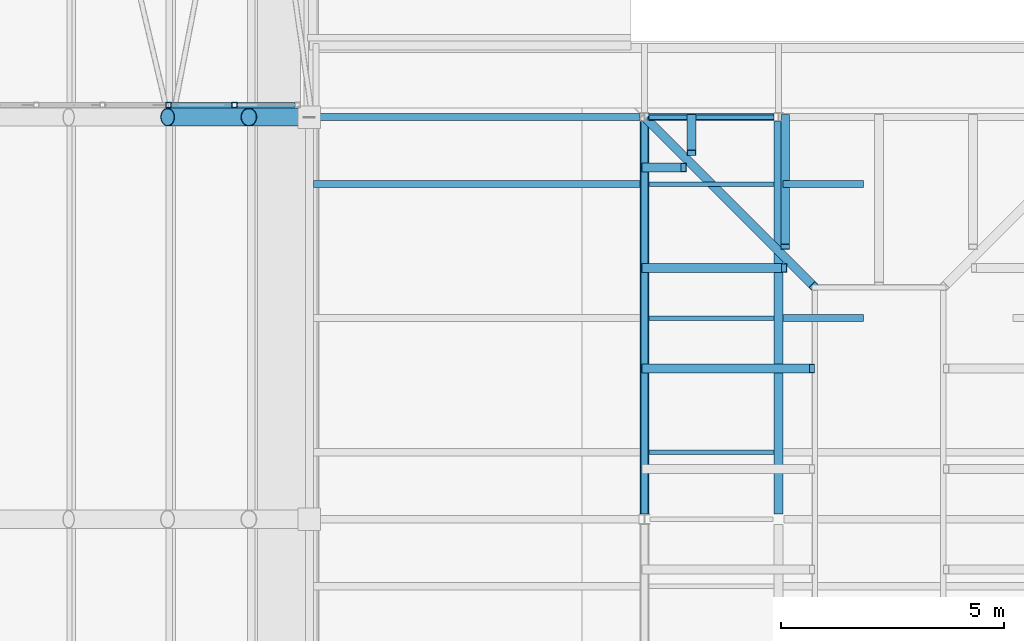
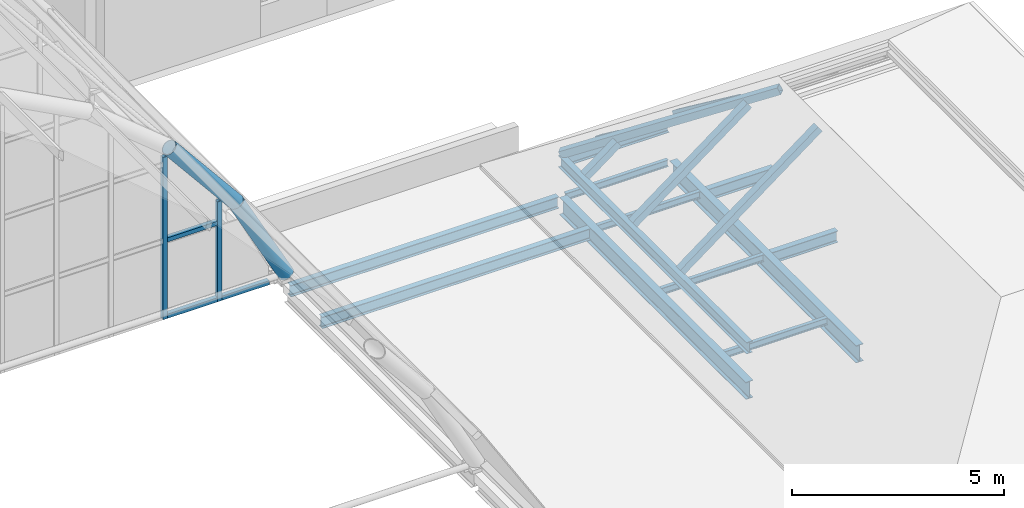
# One storey, part 47 of 121: 13 members, 12 beams, 1 element without a shape of its own.
"""IFC4 building model written with IfcOpenShell, lengths in metres."""

from ifc_helpers import new_model, si_unit, direction, frame, origin, origin_2d, place, context, subcontext, project, spatial, hollow_rectangle, hollow_circle, i_section, extrude, material, material_profile, profile_set, type_object, element, aggregate, save


model = new_model("IFC4")

# Units and contexts
model_context = context("Model", 3, precision=1e-05, world=origin(), true_north=direction((0.0, 1.0)))
body_context = subcontext(model_context, "Body", "Model", "MODEL_VIEW")
ifc_project = project(units=[si_unit("LENGTHUNIT", "METRE"), si_unit("AREAUNIT", "SQUARE_METRE"), si_unit("VOLUMEUNIT", "CUBIC_METRE"), si_unit("PLANEANGLEUNIT", "RADIAN"), si_unit("MASSUNIT", "GRAM", prefix="KILO")], contexts=[model_context])

# Site, building, storey
site_placement = place(None, origin())
site = spatial("IfcSite", under=ifc_project, at=site_placement, CompositionType="ELEMENT")
building_placement = place(site_placement, origin())
building = spatial("IfcBuilding", under=site, at=building_placement, Name="Golden Quay Civic Hall", CompositionType="ELEMENT")
storey_placement = place(building_placement, frame((0.0, 0.0, 18.60009765625)))
storey = spatial("IfcBuildingStorey", under=building, at=storey_placement, Name="L04", CompositionType="ELEMENT", Elevation=18.60009765625)

# Curtain wall, members
ifc_material_1 = material(Name="Fire-resisting glass and steel", Category="steel")
curtain_wall_type = type_object("IfcCurtainWallType", Name="Fire-resisting glazed curtain wall EI 120", PredefinedType="NOTDEFINED", material=ifc_material_1)
curtain_wall_placement = place(storey_placement, origin())
curtain_wall = element("IfcCurtainWall", 1, at=curtain_wall_placement, inside=storey, type_object=curtain_wall_type, Name="Curtain wall tympanum fire3", PredefinedType="NOTDEFINED")
ifc_material_2 = material(Name="Steel S355", Category="steel")
ifc_material_profile_1 = material_profile(ifc_material_2, hollow_rectangle(XDim=0.1201171875, YDim=0.1201171875, WallThickness=0.008056640625, at=origin_2d()), Name="SHS 120x120x8")
ifc_profile_set_1 = profile_set([ifc_material_profile_1], Name="Steel S355")
member_type_1 = type_object("IfcMemberType", Name="Fire-resisting steel mullion SHS 120x120x8", PredefinedType="MULLION", material=ifc_profile_set_1)
member_1_placement = place(storey_placement, frame((95.844482421875, 54.27001953125, -0.25), z_axis=(0.0, 0.0, 1.0), x_axis=(0.0, 1.0, 0.0)))
member_1 = element("IfcMember", 2, at=member_1_placement, type_object=member_type_1, Name="Tympanum mullion 17", PredefinedType="MULLION", context=body_context, shape_type="SweptSolid", body=[
    extrude(hollow_rectangle(XDim=0.1201171875, YDim=0.1201171875, WallThickness=0.008056640625, at=origin_2d()), origin(), (0.0, 0.0, 1.0), 4.6669921875),
])
member_2_placement = place(storey_placement, frame((97.322265625, 54.27001953125, -0.25), z_axis=(0.0, 0.0, 1.0), x_axis=(0.0, 1.0, 0.0)))
member_2 = element("IfcMember", 3, at=member_2_placement, type_object=member_type_1, Name="Tympanum mullion 18", PredefinedType="MULLION", context=body_context, shape_type="SweptSolid", body=[
    extrude(hollow_rectangle(XDim=0.1201171875, YDim=0.1201171875, WallThickness=0.008056640625, at=origin_2d()), origin(), (0.0, 0.0, 1.0), 2.8720703125),
])
ifc_material_3 = material(Name="Steel S355", Category="steel")
ifc_material_profile_2 = material_profile(ifc_material_3, hollow_rectangle(XDim=0.1201171875, YDim=0.1201171875, WallThickness=0.008056640625, at=origin_2d()), Name="SHS 120x120x8")
ifc_profile_set_2 = profile_set([ifc_material_profile_2], Name="Steel S355")
member_type_2 = type_object("IfcMemberType", Name="Fire-resisting steel transom SHS 120x120x8", PredefinedType="USERDEFINED", material=ifc_profile_set_2)
member_3_placement = place(storey_placement, frame((95.904541015625, 54.27001953125, -0.190185546875), z_axis=(1.0, 0.0, 0.0), x_axis=(0.0, 1.0, 0.0)))
member_3 = element("IfcMember", 4, at=member_3_placement, type_object=member_type_2, Name="Tympanum transom 17.1", ObjectType="TRANSOM", PredefinedType="USERDEFINED", context=body_context, shape_type="SweptSolid", body=[
    extrude(hollow_rectangle(XDim=0.1201171875, YDim=0.1201171875, WallThickness=0.008056640625, at=origin_2d()), origin(), (0.0, 0.0, 1.0), 1.357666015625),
])
member_4_placement = place(storey_placement, frame((95.904541015625, 54.27001953125, 2.010009765625), z_axis=(1.0, 0.0, 0.0), x_axis=(0.0, 1.0, 0.0)))
member_4 = element("IfcMember", 5, at=member_4_placement, type_object=member_type_2, Name="Tympanum transom 17.2", ObjectType="TRANSOM", PredefinedType="USERDEFINED", context=body_context, shape_type="SweptSolid", body=[
    extrude(hollow_rectangle(XDim=0.1201171875, YDim=0.1201171875, WallThickness=0.008056640625, at=origin_2d()), origin(), (0.0, 0.0, 1.0), 1.357666015625),
])
member_5_placement = place(storey_placement, frame((97.38232421875, 54.27001953125, -0.190185546875), z_axis=(1.0, 0.0, 0.0), x_axis=(0.0, 1.0, 0.0)))
member_5 = element("IfcMember", 6, at=member_5_placement, type_object=member_type_2, Name="Tympanum transom 18.1", ObjectType="TRANSOM", PredefinedType="USERDEFINED", context=body_context, shape_type="SweptSolid", body=[
    extrude(hollow_rectangle(XDim=0.1201171875, YDim=0.1201171875, WallThickness=0.008056640625, at=origin_2d()), origin(), (0.0, 0.0, 1.0), 1.297607421875),
])
aggregate(curtain_wall, [member_1, member_2, member_3, member_4, member_5])

# Members
ifc_material_4 = material(Name="Steel S355", Category="steel")
ifc_material_profile_3 = material_profile(ifc_material_4, hollow_circle(Radius=0.203125, WallThickness=0.01611328125, at=origin_2d()), Name="CHS 406.4x16")
ifc_profile_set_3 = profile_set([ifc_material_profile_3], Name="Steel S355")
member_type_3 = type_object("IfcMemberType", Name="Steel arch rib CHS 406.4x16", PredefinedType="USERDEFINED", material=ifc_profile_set_3)
for number, where, z_axis, x_axis, name in (
    (7, (95.826904296875, 54.0, 4.830810546875), (0.635608575128, 0.0, -0.772011489049), (0.0, 1.0, 0.0), "Arch rib 7 segment 11"),
    (8, (97.64599609375, 54.0, 2.621337890625), (0.473092307375, 0.0, -0.881012865231), (0.0, 1.0, 0.0), "Arch rib 7 segment 12"),
):
    element("IfcMember", number, at=place(storey_placement, frame(where, z_axis=z_axis, x_axis=x_axis)), inside=storey, type_object=member_type_3, Name=name, ObjectType="ARCH RIB", PredefinedType="USERDEFINED", context=body_context, shape_type="SweptSolid", body=[
        extrude(hollow_circle(Radius=0.203125, WallThickness=0.01611328125, at=origin_2d()), origin(), (0.0, 0.0, 1.0), 2.862060546875),
    ])

# Beams
ifc_material_5 = material(Name="Steel S355", Category="steel")
ifc_material_profile_4 = material_profile(ifc_material_5, i_section(OverallWidth=0.10009765625, OverallDepth=0.199951171875, WebThickness=0.005615234375, FlangeThickness=0.008544921875, FilletRadius=0.011962890625, at=origin_2d()), Name="IPE 200")
ifc_profile_set_4 = profile_set([ifc_material_profile_4], Name="Steel S355")
beam_type_1 = type_object("IfcBeamType", Name="Steel beam IPE 200", PredefinedType="BEAM", material=ifc_profile_set_4)
beam_1_placement = place(storey_placement, frame((106.60009765625, 54.0, -0.35009765625), z_axis=(1.0, 0.0, 0.0), x_axis=(0.0, 1.0, 0.0)))
element("IfcBeam", 9, at=beam_1_placement, inside=storey, type_object=beam_type_1, Name="Beam S54-106.5", PredefinedType="BEAM", context=body_context, shape_type="SweptSolid", body=[
    extrude(i_section(OverallWidth=0.10009765625, OverallDepth=0.199951171875, WebThickness=0.005615234375, FlangeThickness=0.008544921875, FilletRadius=0.011962890625, at=origin_2d()), origin(), (0.0, 0.0, 1.0), 2.7998046875),
])
ifc_material_6 = material(Name="Steel S355", Category="steel")
ifc_material_profile_5 = material_profile(ifc_material_6, i_section(OverallWidth=0.159912109375, OverallDepth=0.330078125, WebThickness=0.007568359375, FlangeThickness=0.011474609375, FilletRadius=0.01806640625, at=origin_2d()), Name="IPE 330")
ifc_profile_set_5 = profile_set([ifc_material_profile_5], Name="Steel S355")
beam_type_2 = type_object("IfcBeamType", Name="Steel beam IPE 330", PredefinedType="BEAM", material=ifc_profile_set_5)
beam_2_placement = place(storey_placement, frame((99.10009765625, 54.0, -0.4150390625), z_axis=(1.0, 0.0, 0.0), x_axis=(0.0, 1.0, 0.0)))
element("IfcBeam", 10, at=beam_2_placement, inside=storey, type_object=beam_type_2, Name="Beam S54-99", PredefinedType="BEAM", context=body_context, shape_type="SweptSolid", body=[
    extrude(i_section(OverallWidth=0.159912109375, OverallDepth=0.330078125, WebThickness=0.007568359375, FlangeThickness=0.011474609375, FilletRadius=0.01806640625, at=origin_2d()), origin(), (0.0, 0.0, 1.0), 7.2998046875),
])
ifc_material_7 = material(Name="Steel S355", Category="steel")
ifc_material_profile_6 = material_profile(ifc_material_7, i_section(OverallWidth=0.199951171875, OverallDepth=0.5, WebThickness=0.01025390625, FlangeThickness=0.01611328125, FilletRadius=0.02099609375, at=origin_2d()), Name="IPE 500")
ifc_profile_set_6 = profile_set([ifc_material_profile_6], Name="Steel S355")
beam_type_3 = type_object("IfcBeamType", Name="Steel beam IPE 500", PredefinedType="BEAM", material=ifc_profile_set_6)
for number, where, z_axis, x_axis, name in (
    (11, (106.5, 45.114990234375, -0.5), (0.0, 1.0, 0.0), (-1.0, 0.0, 0.0), "Beam L106.5-45"),
    (12, (109.5, 45.114990234375, -0.5), (0.0, 1.0, 0.0), (-1.0, 0.0, 0.0), "Beam L109.5-45"),
):
    element("IfcBeam", number, at=place(storey_placement, frame(where, z_axis=z_axis, x_axis=x_axis)), inside=storey, type_object=beam_type_3, Name=name, PredefinedType="BEAM", context=body_context, shape_type="SweptSolid", body=[
        extrude(i_section(OverallWidth=0.199951171875, OverallDepth=0.5, WebThickness=0.01025390625, FlangeThickness=0.01611328125, FilletRadius=0.02099609375, at=origin_2d()), origin(), (0.0, 0.0, 1.0), 8.7900390625),
    ])

# Members
ifc_material_8 = material(Name="Steel S355", Category="steel")
ifc_material_profile_7 = material_profile(ifc_material_8, hollow_rectangle(XDim=0.199951171875, YDim=0.199951171875, WallThickness=0.010009765625, at=origin_2d()), Name="SHS 200x200x10")
ifc_profile_set_7 = profile_set([ifc_material_profile_7], Name="Steel S355")
member_type_4 = type_object("IfcMemberType", Name="Steel jack rafter SHS 200x200x10", PredefinedType="RAFTER", material=ifc_profile_set_7)
member_6_placement = place(storey_placement, frame((107.550048828125, 54.0, 0.96484375), z_axis=(0.0, -0.799970705032, 0.600039057971), x_axis=(1.0, 0.0, 0.0)))
element("IfcMember", 13, at=member_6_placement, inside=storey, type_object=member_type_4, Name="Jack rafter EM-N north 1", PredefinedType="RAFTER", context=body_context, shape_type="SweptSolid", body=[
    extrude(hollow_rectangle(XDim=0.199951171875, YDim=0.199951171875, WallThickness=0.010009765625, at=origin_2d()), origin(), (0.0, 0.0, 1.0), 1.0),
])
member_7_placement = place(storey_placement, frame((109.64990234375, 54.0, 0.96484375), z_axis=(0.0, -0.799983835699, 0.600021551797), x_axis=(1.0, 0.0, 0.0)))
element("IfcMember", 14, at=member_7_placement, inside=storey, type_object=member_type_4, Name="Jack rafter EM-N north 2", PredefinedType="RAFTER", context=body_context, shape_type="SweptSolid", body=[
    extrude(hollow_rectangle(XDim=0.199951171875, YDim=0.199951171875, WallThickness=0.010009765625, at=origin_2d()), origin(), (0.0, 0.0, 1.0), 3.625),
])
member_8_placement = place(storey_placement, frame((106.5, 48.375, 0.96484375), z_axis=(0.8, 0.0, 0.6), x_axis=(0.0, 1.0, 0.0)))
element("IfcMember", 15, at=member_8_placement, inside=storey, type_object=member_type_4, Name="Jack rafter EM-N west 6", PredefinedType="RAFTER", context=body_context, shape_type="SweptSolid", body=[
    extrude(hollow_rectangle(XDim=0.199951171875, YDim=0.199951171875, WallThickness=0.010009765625, at=origin_2d()), origin(), (0.0, 0.0, 1.0), 4.6875),
])
member_9_placement = place(storey_placement, frame((106.5, 50.625, 0.96484375), z_axis=(0.8, 0.0, 0.6), x_axis=(0.0, 1.0, 0.0)))
element("IfcMember", 16, at=member_9_placement, inside=storey, type_object=member_type_4, Name="Jack rafter EM-N west 7", PredefinedType="RAFTER", context=body_context, shape_type="SweptSolid", body=[
    extrude(hollow_rectangle(XDim=0.199951171875, YDim=0.199951171875, WallThickness=0.010009765625, at=origin_2d()), origin(), (0.0, 0.0, 1.0), 3.90625),
])
member_10_placement = place(storey_placement, frame((106.5, 52.875, 0.96484375), z_axis=(0.8, 0.0, 0.6), x_axis=(0.0, 1.0, 0.0)))
element("IfcMember", 17, at=member_10_placement, inside=storey, type_object=member_type_4, Name="Jack rafter EM-N west 8", PredefinedType="RAFTER", context=body_context, shape_type="SweptSolid", body=[
    extrude(hollow_rectangle(XDim=0.199951171875, YDim=0.199951171875, WallThickness=0.010009765625, at=origin_2d()), origin(), (0.0, 0.0, 1.0), 1.09375),
])

# Beams
ifc_material_9 = material(Name="Steel S355", Category="steel")
ifc_material_profile_8 = material_profile(ifc_material_9, i_section(OverallWidth=0.10009765625, OverallDepth=0.199951171875, WebThickness=0.005615234375, FlangeThickness=0.008544921875, FilletRadius=0.011962890625, at=origin_2d()), Name="IPE 200")
ifc_profile_set_8 = profile_set([ifc_material_profile_8], Name="Steel S355")
beam_type_4 = type_object("IfcBeamType", Name="Steel joist IPE 200", PredefinedType="JOIST", material=ifc_profile_set_8)
for number, where, z_axis, x_axis, name in (
    (18, (106.60009765625, 46.5, -0.35009765625), (1.0, 0.0, 0.0), (0.0, 1.0, 0.0), "Joist J46.5-106.5"),
    (19, (106.60009765625, 49.5, -0.35009765625), (1.0, 0.0, 0.0), (0.0, 1.0, 0.0), "Joist J49.5-106.5"),
    (20, (106.60009765625, 52.5, -0.35009765625), (1.0, 0.0, 0.0), (0.0, 1.0, 0.0), "Joist J52.5-106.5"),
):
    element("IfcBeam", number, at=place(storey_placement, frame(where, z_axis=z_axis, x_axis=x_axis)), inside=storey, type_object=beam_type_4, Name=name, PredefinedType="JOIST", context=body_context, shape_type="SweptSolid", body=[
        extrude(i_section(OverallWidth=0.10009765625, OverallDepth=0.199951171875, WebThickness=0.005615234375, FlangeThickness=0.008544921875, FilletRadius=0.011962890625, at=origin_2d()), origin(), (0.0, 0.0, 1.0), 2.7998046875),
    ])
ifc_material_10 = material(Name="Steel S355", Category="steel")
ifc_material_profile_9 = material_profile(ifc_material_10, i_section(OverallWidth=0.159912109375, OverallDepth=0.330078125, WebThickness=0.007568359375, FlangeThickness=0.011474609375, FilletRadius=0.01806640625, at=origin_2d()), Name="IPE 330")
ifc_profile_set_9 = profile_set([ifc_material_profile_9], Name="Steel S355")
beam_type_5 = type_object("IfcBeamType", Name="Steel joist IPE 330", PredefinedType="JOIST", material=ifc_profile_set_9)
beam_3_placement = place(storey_placement, frame((109.60009765625, 49.5, -0.4150390625), z_axis=(1.0, 0.0, 0.0), x_axis=(0.0, 1.0, 0.0)))
element("IfcBeam", 21, at=beam_3_placement, inside=storey, type_object=beam_type_5, Name="Joist J49.5-109.5-0", PredefinedType="JOIST", context=body_context, shape_type="SweptSolid", body=[
    extrude(i_section(OverallWidth=0.159912109375, OverallDepth=0.330078125, WebThickness=0.007568359375, FlangeThickness=0.011474609375, FilletRadius=0.01806640625, at=origin_2d()), origin(), (0.0, 0.0, 1.0), 1.7998046875),
])
beam_4_placement = place(storey_placement, frame((99.090087890625, 52.5, -0.4150390625), z_axis=(1.0, 0.0, 0.0), x_axis=(0.0, 1.0, 0.0)))
element("IfcBeam", 22, at=beam_4_placement, inside=storey, type_object=beam_type_5, Name="Joist J52.5-99", PredefinedType="JOIST", context=body_context, shape_type="SweptSolid", body=[
    extrude(i_section(OverallWidth=0.159912109375, OverallDepth=0.330078125, WebThickness=0.007568359375, FlangeThickness=0.011474609375, FilletRadius=0.01806640625, at=origin_2d()), origin(), (0.0, 0.0, 1.0), 7.309814453125),
])
beam_5_placement = place(storey_placement, frame((109.60009765625, 52.5, -0.4150390625), z_axis=(1.0, 0.0, 0.0), x_axis=(0.0, 1.0, 0.0)))
element("IfcBeam", 23, at=beam_5_placement, inside=storey, type_object=beam_type_5, Name="Joist J52.5-109.5-0", PredefinedType="JOIST", context=body_context, shape_type="SweptSolid", body=[
    extrude(i_section(OverallWidth=0.159912109375, OverallDepth=0.330078125, WebThickness=0.007568359375, FlangeThickness=0.011474609375, FilletRadius=0.01806640625, at=origin_2d()), origin(), (0.0, 0.0, 1.0), 1.7998046875),
])

# Member
ifc_material_11 = material(Name="Steel S355", Category="steel")
ifc_material_profile_10 = material_profile(ifc_material_11, hollow_rectangle(XDim=0.199951171875, YDim=0.199951171875, WallThickness=0.010009765625, at=origin_2d()), Name="SHS 200x200x10")
ifc_profile_set_10 = profile_set([ifc_material_profile_10], Name="Steel S355")
member_type_5 = type_object("IfcMemberType", Name="Steel pavilion hip rafter SHS 200x200x10", PredefinedType="RAFTER", material=ifc_profile_set_10)
member_11_placement = place(storey_placement, frame((106.5, 54.0, 0.92822265625), z_axis=(0.625782928891, -0.625782928891, 0.465608689584), x_axis=(0.707106781187, 0.707106781187, 0.0)))
element("IfcMember", 24, at=member_11_placement, inside=storey, type_object=member_type_5, Name="Hip rafter EM-N north-west", PredefinedType="RAFTER", context=body_context, shape_type="SweptSolid", body=[
    extrude(hollow_rectangle(XDim=0.199951171875, YDim=0.199951171875, WallThickness=0.010009765625, at=origin_2d()), origin(), (0.0, 0.0, 1.0), 6.04052734375),
])

# Beams
ifc_material_12 = material(Name="Steel S355", Category="steel")
ifc_material_profile_11 = material_profile(ifc_material_12, i_section(OverallWidth=0.159912109375, OverallDepth=0.330078125, WebThickness=0.007568359375, FlangeThickness=0.011474609375, FilletRadius=0.01806640625, at=origin_2d()), Name="IPE 330")
ifc_profile_set_11 = profile_set([ifc_material_profile_11], Name="Steel S355")
beam_type_6 = type_object("IfcBeamType", Name="Steel wall plate beam IPE 330", PredefinedType="BEAM", material=ifc_profile_set_11)
beam_6_placement = place(storey_placement, frame((106.580078125, 54.0, 0.719970703125), z_axis=(1.0, 0.0, 0.0), x_axis=(0.0, 1.0, 0.0)))
element("IfcBeam", 25, at=beam_6_placement, inside=storey, type_object=beam_type_6, Name="Wall plate beam EM-N N1", PredefinedType="BEAM", context=body_context, shape_type="SweptSolid", body=[
    extrude(i_section(OverallWidth=0.159912109375, OverallDepth=0.330078125, WebThickness=0.007568359375, FlangeThickness=0.011474609375, FilletRadius=0.01806640625, at=origin_2d()), origin(), (0.0, 0.0, 1.0), 2.81982421875),
])
beam_7_placement = place(storey_placement, frame((106.5, 45.114990234375, 0.719970703125), z_axis=(0.0, 1.0, 0.0), x_axis=(-1.0, 0.0, 0.0)))
element("IfcBeam", 26, at=beam_7_placement, inside=storey, type_object=beam_type_6, Name="Wall plate beam EM-N W2", PredefinedType="BEAM", context=body_context, shape_type="SweptSolid", body=[
    extrude(i_section(OverallWidth=0.159912109375, OverallDepth=0.330078125, WebThickness=0.007568359375, FlangeThickness=0.011474609375, FilletRadius=0.01806640625, at=origin_2d()), origin(), (0.0, 0.0, 1.0), 8.885009765625),
])

save(model, "model.ifc")
